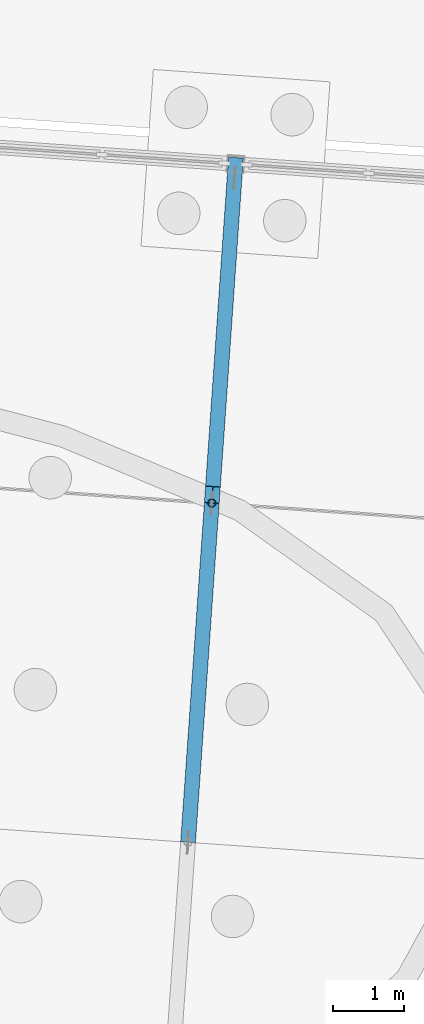
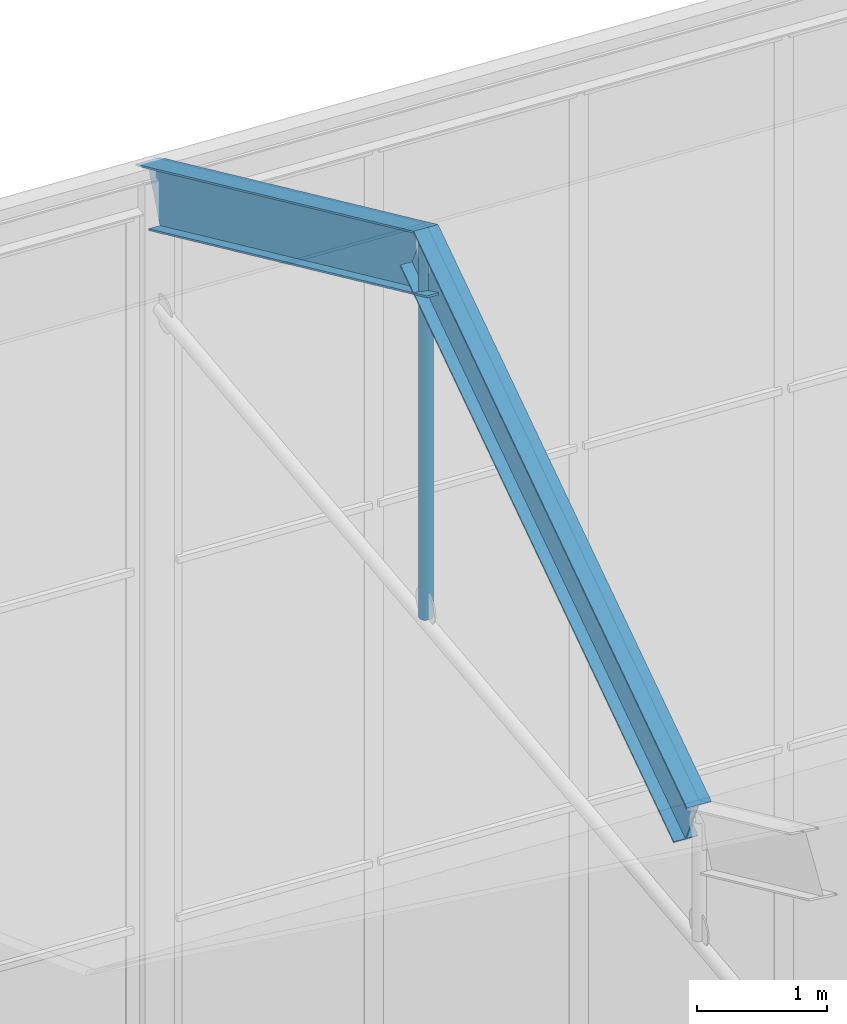
# One storey, part 61 of 157: 3 members.
"""IFC4 building model written with IfcOpenShell, lengths in metres."""

from ifc_helpers import new_model, si_unit, direction, frame, origin, origin_2d, place, context, subcontext, project, spatial, hollow_circle, i_section, extrude, material, material_profile, profile_set, type_object, element, save


model = new_model("IFC4")

# Units and contexts
model_context = context("Model", 3, precision=1e-05, world=origin(), true_north=direction((0.0, 1.0)))
body_context = subcontext(model_context, "Body", "Model", "MODEL_VIEW")
ifc_project = project(units=[si_unit("LENGTHUNIT", "METRE"), si_unit("AREAUNIT", "SQUARE_METRE"), si_unit("VOLUMEUNIT", "CUBIC_METRE"), si_unit("PLANEANGLEUNIT", "RADIAN"), si_unit("MASSUNIT", "GRAM", prefix="KILO")], contexts=[model_context])

# Site, building, storey
site_placement = place(None, origin())
site = spatial("IfcSite", under=ifc_project, at=site_placement, CompositionType="ELEMENT")
building_placement = place(site_placement, origin())
building = spatial("IfcBuilding", under=site, at=building_placement, Name="Windward Yard Aquatics Centre", CompositionType="ELEMENT")
storey_placement = place(building_placement, origin())
storey = spatial("IfcBuildingStorey", under=building, at=storey_placement, Name="L00", CompositionType="ELEMENT", Elevation=0.0)

# Members
ifc_material = material(Name="Steel S355", Category="steel")
ifc_material_profile_1 = material_profile(ifc_material, hollow_circle(Radius=0.05712890625, WallThickness=0.006103515625, at=origin_2d()), Name="CHS114x6")
ifc_profile_set_1 = profile_set([ifc_material_profile_1], Name="Steel S355")
member_type_1 = type_object("IfcMemberType", Name="W CHS114x6 post", PredefinedType="POST", material=ifc_profile_set_1)
member_1_placement = place(storey_placement, frame((94.702392578125, 132.220703125, 9.25), z_axis=(0.0, 0.0, 1.0), x_axis=(1.0, 0.0, 0.0)))
element("IfcMember", 1, at=member_1_placement, inside=storey, type_object=member_type_1, Name="W.STRUT.4.2", PredefinedType="POST", context=body_context, shape_type="SweptSolid", body=[
    extrude(hollow_circle(Radius=0.05712890625, WallThickness=0.006103515625, at=origin_2d()), origin(), (0.0, 0.0, 1.0), 3.510009765625),
])
ifc_material_profile_2 = material_profile(ifc_material, i_section(OverallWidth=0.208984375, OverallDepth=0.532958984375, WebThickness=0.01025390625, FlangeThickness=0.015625, at=origin_2d()), Name="W530x92")
ifc_profile_set_2 = profile_set([ifc_material_profile_2], Name="Steel S355")
member_type_2 = type_object("IfcMemberType", Name="W W530x92 rafter", PredefinedType="RAFTER", material=ifc_profile_set_2)
member_2_placement = place(storey_placement, frame((94.375732421875, 127.551025390625, 10.26171875), z_axis=(0.062413930791, 0.892264459575, 0.447178527461), x_axis=(-0.997562437872, 0.069779528131, 0.0)))
element("IfcMember", 2, at=member_2_placement, inside=storey, type_object=member_type_2, Name="W.RAF.4.3", PredefinedType="RAFTER", context=body_context, shape_type="SweptSolid", body=[
    extrude(i_section(OverallWidth=0.208984375, OverallDepth=0.532958984375, WebThickness=0.01025390625, FlangeThickness=0.015625, at=origin_2d()), origin(), (0.0, 0.0, 1.0), 5.36669921875),
])
member_3_placement = place(storey_placement, frame((94.694091796875, 132.101806640625, 12.66162109375), z_axis=(0.062391425024, 0.892237572744, -0.447235311516), x_axis=(-0.997564042786, 0.069756580627, 0.0)))
element("IfcMember", 3, at=member_3_placement, inside=storey, type_object=member_type_2, Name="W.RAF.4.4", PredefinedType="RAFTER", context=body_context, shape_type="SweptSolid", body=[
    extrude(i_section(OverallWidth=0.208984375, OverallDepth=0.532958984375, WebThickness=0.01025390625, FlangeThickness=0.015625, at=origin_2d()), origin(), (0.0, 0.0, 1.0), 5.466552734375),
])

save(model, "model.ifc")
